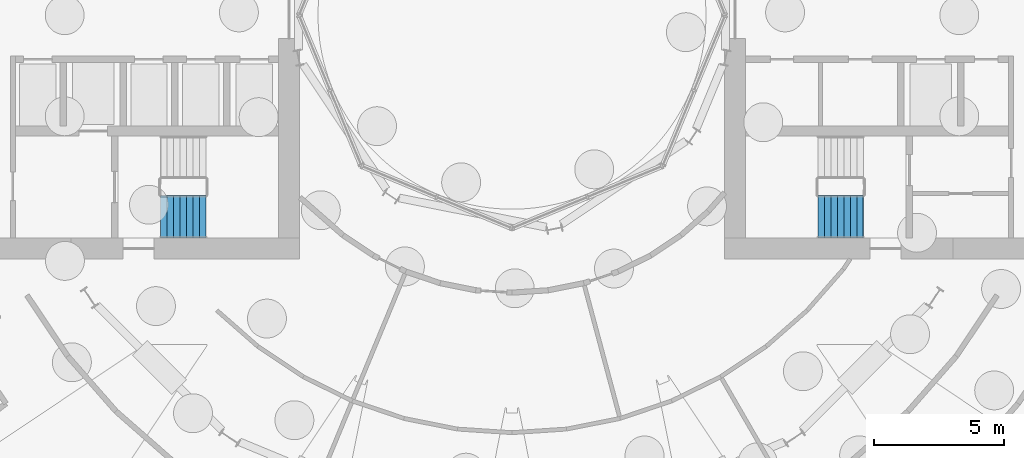
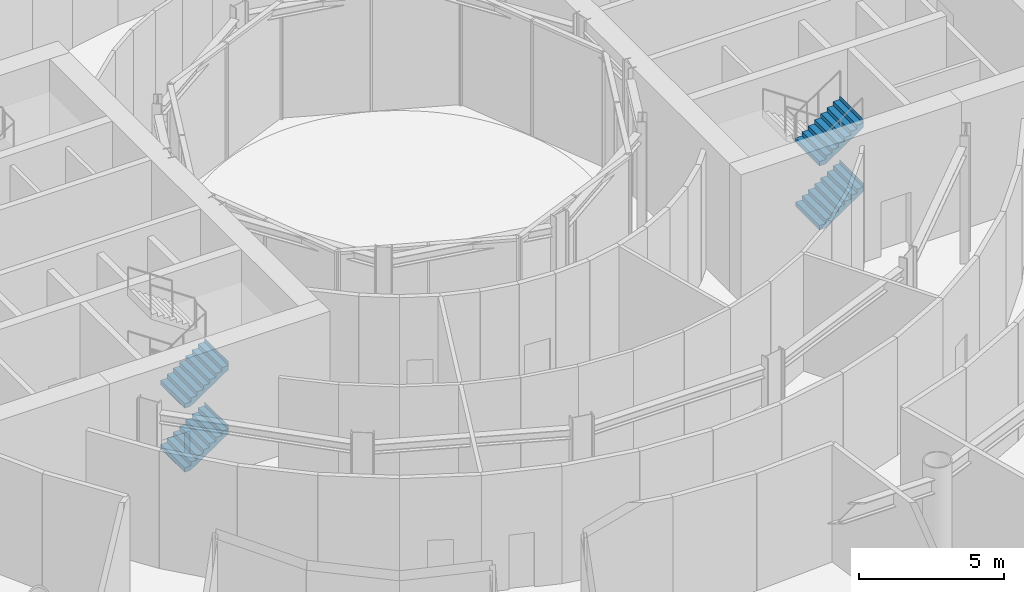
# One storey, part 32 of 41: 4 stair flights, 2 elements without a shape of their own.
"""IFC4 building model written with IfcOpenShell, lengths in metres."""

from ifc_helpers import new_model, si_unit, direction, frame, origin, place, context, subcontext, project, spatial, triangles, material, type_object, element, aggregate, save


model = new_model("IFC4")

# Units and contexts
model_context = context("Model", 3, precision=1e-05, world=origin(), true_north=direction((0.0, 1.0)))
body_context = subcontext(model_context, "Body", "Model", "MODEL_VIEW")
ifc_project = project(units=[si_unit("LENGTHUNIT", "METRE"), si_unit("AREAUNIT", "SQUARE_METRE"), si_unit("VOLUMEUNIT", "CUBIC_METRE"), si_unit("PLANEANGLEUNIT", "RADIAN"), si_unit("MASSUNIT", "GRAM", prefix="KILO")], contexts=[model_context])

# Site, building, storey
site_placement = place(None, origin())
site = spatial("IfcSite", under=ifc_project, at=site_placement, CompositionType="ELEMENT")
building_placement = place(site_placement, origin())
building = spatial("IfcBuilding", under=site, at=building_placement, Name="Maasbend Ring Residences", CompositionType="ELEMENT")
storey_placement = place(building_placement, origin())
storey = spatial("IfcBuildingStorey", under=building, at=storey_placement, Name="L00", CompositionType="ELEMENT", Elevation=0.0)

# Stair, stair flights
ifc_material_1 = material(Name="Concrete C40/50", Category="concrete")
stair_type = type_object("IfcStairType", Name="CORE STAIR 32 RISERS", PredefinedType="HALF_TURN_STAIR", material=ifc_material_1)
stair_1_placement = place(storey_placement, origin())
stair_1 = element("IfcStair", 1, at=stair_1_placement, inside=storey, type_object=stair_type, Name="L00 Exit stair ST-E2", PredefinedType="HALF_TURN_STAIR")
ifc_material_2 = material(Name="Concrete C40/50", Category="concrete")
stair_flight_type = type_object("IfcStairFlightType", Name="CORE STAIR FLIGHT 1650", PredefinedType="STRAIGHT", material=ifc_material_2)
stair_flight_1_placement = place(storey_placement, frame((11.800048828125, -7.77490234375, 1.35009765625), z_axis=(0.0, 0.0, 1.0), x_axis=(1.0, 0.0, 0.0)))
stair_flight_1 = element("IfcStairFlight", 2, at=stair_flight_1_placement, type_object=stair_flight_type, Name="ST-E2 flight 2", NumberOfRisers=8, NumberOfTreads=7, PredefinedType="STRAIGHT", RiserHeight=0.16875, TreadLength=0.25, context=body_context, shape_type="Tessellation", body=[
    triangles([(0.2412109375, 0.824951171875, -0.02001953125), (1.7529296875, 0.824951171875, 1.00048828125), (1.7529296875, 0.824951171875, 1.35009765625), (1.739990234375, 0.824951171875, 1.18115234375), (1.5, 0.824951171875, 1.18115234375), (1.5, 0.824951171875, 1.012451171875), (1.25, 0.824951171875, 1.012451171875), (1.25, 0.824951171875, 0.84375), (1.0, 0.824951171875, 0.84375), (1.0, 0.824951171875, 0.675048828125), (0.75, 0.824951171875, 0.675048828125), (0.75, 0.824951171875, 0.50634765625), (0.5, 0.824951171875, 0.50634765625), (0.5, 0.824951171875, 0.33740234375), (0.25, 0.824951171875, 0.33740234375), (0.25, 0.824951171875, 0.168701171875), (0.0, 0.824951171875, 0.168701171875), (0.0, 0.824951171875, 0.0), (-0.0029296875, 0.824951171875, 0.0), (-0.0029296875, 0.824951171875, -0.02001953125), (0.2412109375, 0.41259765625, -0.02001953125), (1.7529296875, 0.41259765625, 1.00048828125), (1.7529296875, 0.41259765625, 1.35009765625), (1.739990234375, 0.41259765625, 1.18115234375), (1.5, 0.41259765625, 1.18115234375), (1.5, 0.41259765625, 1.012451171875), (1.25, 0.41259765625, 1.012451171875), (1.25, 0.41259765625, 0.84375), (1.0, 0.41259765625, 0.84375), (1.0, 0.41259765625, 0.675048828125), (0.75, 0.41259765625, 0.675048828125), (0.75, 0.41259765625, 0.50634765625), (0.5, 0.41259765625, 0.50634765625), (0.5, 0.41259765625, 0.33740234375), (0.25, 0.41259765625, 0.33740234375), (0.25, 0.41259765625, 0.168701171875), (0.0, 0.41259765625, 0.168701171875), (0.0, 0.41259765625, 0.0), (-0.0029296875, 0.41259765625, 0.0), (-0.0029296875, 0.41259765625, -0.02001953125), (0.2412109375, 0.0, -0.02001953125), (1.7529296875, 0.0, 1.00048828125), (1.7529296875, 0.0, 1.35009765625), (1.739990234375, 0.0, 1.18115234375), (1.5, 0.0, 1.18115234375), (1.5, 0.0, 1.012451171875), (1.25, 0.0, 1.012451171875), (1.25, 0.0, 0.84375), (1.0, 0.0, 0.84375), (1.0, 0.0, 0.675048828125), (0.75, 0.0, 0.675048828125), (0.75, 0.0, 0.50634765625), (0.5, 0.0, 0.50634765625), (0.5, 0.0, 0.33740234375), (0.25, 0.0, 0.33740234375), (0.25, 0.0, 0.168701171875), (0.0, 0.0, 0.168701171875), (0.0, 0.0, 0.0), (-0.0029296875, 0.0, 0.0), (-0.0029296875, 0.0, -0.02001953125), (0.2412109375, -0.41259765625, -0.02001953125), (1.7529296875, -0.41259765625, 1.00048828125), (1.7529296875, -0.41259765625, 1.35009765625), (1.739990234375, -0.41259765625, 1.18115234375), (1.5, -0.41259765625, 1.18115234375), (1.5, -0.41259765625, 1.012451171875), (1.25, -0.41259765625, 1.012451171875), (1.25, -0.41259765625, 0.84375), (1.0, -0.41259765625, 0.84375), (1.0, -0.41259765625, 0.675048828125), (0.75, -0.41259765625, 0.675048828125), (0.75, -0.41259765625, 0.50634765625), (0.5, -0.41259765625, 0.50634765625), (0.5, -0.41259765625, 0.33740234375), (0.25, -0.41259765625, 0.33740234375), (0.25, -0.41259765625, 0.168701171875), (0.0, -0.41259765625, 0.168701171875), (0.0, -0.41259765625, 0.0), (-0.0029296875, -0.41259765625, 0.0), (-0.0029296875, -0.41259765625, -0.02001953125), (0.2412109375, -0.824951171875, -0.02001953125), (1.7529296875, -0.824951171875, 1.00048828125), (1.7529296875, -0.824951171875, 1.35009765625), (1.739990234375, -0.824951171875, 1.18115234375), (1.5, -0.824951171875, 1.18115234375), (1.5, -0.824951171875, 1.012451171875), (1.25, -0.824951171875, 1.012451171875), (1.25, -0.824951171875, 0.84375), (1.0, -0.824951171875, 0.84375), (1.0, -0.824951171875, 0.675048828125), (0.75, -0.824951171875, 0.675048828125), (0.75, -0.824951171875, 0.50634765625), (0.5, -0.824951171875, 0.50634765625), (0.5, -0.824951171875, 0.33740234375), (0.25, -0.824951171875, 0.33740234375), (0.25, -0.824951171875, 0.168701171875), (0.0, -0.824951171875, 0.168701171875), (0.0, -0.824951171875, 0.0), (-0.0029296875, -0.824951171875, 0.0), (-0.0029296875, -0.824951171875, -0.02001953125)], [[1, 2, 22], [1, 22, 21], [21, 22, 42], [21, 42, 41], [41, 42, 62], [41, 62, 61], [61, 62, 82], [61, 82, 81], [2, 3, 23], [2, 23, 22], [22, 23, 43], [22, 43, 42], [42, 43, 63], [42, 63, 62], [62, 63, 83], [62, 83, 82], [3, 4, 24], [3, 24, 23], [23, 24, 44], [23, 44, 43], [43, 44, 64], [43, 64, 63], [63, 64, 84], [63, 84, 83], [4, 5, 25], [4, 25, 24], [24, 25, 45], [24, 45, 44], [44, 45, 65], [44, 65, 64], [64, 65, 85], [64, 85, 84], [5, 6, 26], [5, 26, 25], [25, 26, 46], [25, 46, 45], [45, 46, 66], [45, 66, 65], [65, 66, 86], [65, 86, 85], [6, 7, 27], [6, 27, 26], [26, 27, 47], [26, 47, 46], [46, 47, 67], [46, 67, 66], [66, 67, 87], [66, 87, 86], [7, 8, 28], [7, 28, 27], [27, 28, 48], [27, 48, 47], [47, 48, 68], [47, 68, 67], [67, 68, 88], [67, 88, 87], [8, 9, 29], [8, 29, 28], [28, 29, 49], [28, 49, 48], [48, 49, 69], [48, 69, 68], [68, 69, 89], [68, 89, 88], [9, 10, 30], [9, 30, 29], [29, 30, 50], [29, 50, 49], [49, 50, 70], [49, 70, 69], [69, 70, 90], [69, 90, 89], [10, 11, 31], [10, 31, 30], [30, 31, 51], [30, 51, 50], [50, 51, 71], [50, 71, 70], [70, 71, 91], [70, 91, 90], [11, 12, 32], [11, 32, 31], [31, 32, 52], [31, 52, 51], [51, 52, 72], [51, 72, 71], [71, 72, 92], [71, 92, 91], [12, 13, 33], [12, 33, 32], [32, 33, 53], [32, 53, 52], [52, 53, 73], [52, 73, 72], [72, 73, 93], [72, 93, 92], [13, 14, 34], [13, 34, 33], [33, 34, 54], [33, 54, 53], [53, 54, 74], [53, 74, 73], [73, 74, 94], [73, 94, 93], [14, 15, 35], [14, 35, 34], [34, 35, 55], [34, 55, 54], [54, 55, 75], [54, 75, 74], [74, 75, 95], [74, 95, 94], [15, 16, 36], [15, 36, 35], [35, 36, 56], [35, 56, 55], [55, 56, 76], [55, 76, 75], [75, 76, 96], [75, 96, 95], [16, 17, 37], [16, 37, 36], [36, 37, 57], [36, 57, 56], [56, 57, 77], [56, 77, 76], [76, 77, 97], [76, 97, 96], [17, 18, 38], [17, 38, 37], [37, 38, 58], [37, 58, 57], [57, 58, 78], [57, 78, 77], [77, 78, 98], [77, 98, 97], [18, 19, 39], [18, 39, 38], [38, 39, 59], [38, 59, 58], [58, 59, 79], [58, 79, 78], [78, 79, 99], [78, 99, 98], [19, 20, 40], [19, 40, 39], [39, 40, 60], [39, 60, 59], [59, 60, 80], [59, 80, 79], [79, 80, 100], [79, 100, 99], [20, 1, 21], [20, 21, 40], [40, 21, 41], [40, 41, 60], [60, 41, 61], [60, 61, 80], [80, 61, 81], [80, 81, 100], [20, 2, 1], [2, 4, 3], [2, 5, 4], [2, 6, 5], [20, 6, 2], [6, 8, 7], [20, 8, 6], [8, 10, 9], [20, 10, 8], [10, 12, 11], [20, 12, 10], [12, 14, 13], [20, 14, 12], [14, 16, 15], [20, 16, 14], [16, 18, 17], [20, 18, 16], [18, 20, 19], [100, 81, 82], [82, 83, 84], [82, 84, 85], [82, 85, 86], [100, 82, 86], [86, 87, 88], [100, 86, 88], [88, 89, 90], [100, 88, 90], [90, 91, 92], [100, 90, 92], [92, 93, 94], [100, 92, 94], [94, 95, 96], [100, 94, 96], [96, 97, 98], [100, 96, 98], [98, 99, 100]], closed=True),
])
stair_flight_2_placement = place(storey_placement, frame((11.800048828125, -7.77490234375, 4.050048828125), z_axis=(0.0, 0.0, 1.0), x_axis=(1.0, 0.0, 0.0)))
stair_flight_2 = element("IfcStairFlight", 3, at=stair_flight_2_placement, type_object=stair_flight_type, Name="ST-E2 flight 4", NumberOfRisers=8, NumberOfTreads=7, PredefinedType="STRAIGHT", RiserHeight=0.16875, TreadLength=0.25, context=body_context, shape_type="Tessellation", body=[
    triangles([(0.2412109375, 0.824951171875, -0.02001953125), (1.7529296875, 0.824951171875, 1.00048828125), (1.7529296875, 0.824951171875, 1.35009765625), (1.739990234375, 0.824951171875, 1.18115234375), (1.5, 0.824951171875, 1.18115234375), (1.5, 0.824951171875, 1.012451171875), (1.25, 0.824951171875, 1.012451171875), (1.25, 0.824951171875, 0.84375), (1.0, 0.824951171875, 0.84375), (1.0, 0.824951171875, 0.675048828125), (0.75, 0.824951171875, 0.675048828125), (0.75, 0.824951171875, 0.50634765625), (0.5, 0.824951171875, 0.50634765625), (0.5, 0.824951171875, 0.33740234375), (0.25, 0.824951171875, 0.33740234375), (0.25, 0.824951171875, 0.168701171875), (0.0, 0.824951171875, 0.168701171875), (0.0, 0.824951171875, 0.0), (-0.0029296875, 0.824951171875, 0.0), (-0.0029296875, 0.824951171875, -0.02001953125), (0.2412109375, 0.41259765625, -0.02001953125), (1.7529296875, 0.41259765625, 1.00048828125), (1.7529296875, 0.41259765625, 1.35009765625), (1.739990234375, 0.41259765625, 1.18115234375), (1.5, 0.41259765625, 1.18115234375), (1.5, 0.41259765625, 1.012451171875), (1.25, 0.41259765625, 1.012451171875), (1.25, 0.41259765625, 0.84375), (1.0, 0.41259765625, 0.84375), (1.0, 0.41259765625, 0.675048828125), (0.75, 0.41259765625, 0.675048828125), (0.75, 0.41259765625, 0.50634765625), (0.5, 0.41259765625, 0.50634765625), (0.5, 0.41259765625, 0.33740234375), (0.25, 0.41259765625, 0.33740234375), (0.25, 0.41259765625, 0.168701171875), (0.0, 0.41259765625, 0.168701171875), (0.0, 0.41259765625, 0.0), (-0.0029296875, 0.41259765625, 0.0), (-0.0029296875, 0.41259765625, -0.02001953125), (0.2412109375, 0.0, -0.02001953125), (1.7529296875, 0.0, 1.00048828125), (1.7529296875, 0.0, 1.35009765625), (1.739990234375, 0.0, 1.18115234375), (1.5, 0.0, 1.18115234375), (1.5, 0.0, 1.012451171875), (1.25, 0.0, 1.012451171875), (1.25, 0.0, 0.84375), (1.0, 0.0, 0.84375), (1.0, 0.0, 0.675048828125), (0.75, 0.0, 0.675048828125), (0.75, 0.0, 0.50634765625), (0.5, 0.0, 0.50634765625), (0.5, 0.0, 0.33740234375), (0.25, 0.0, 0.33740234375), (0.25, 0.0, 0.168701171875), (0.0, 0.0, 0.168701171875), (0.0, 0.0, 0.0), (-0.0029296875, 0.0, 0.0), (-0.0029296875, 0.0, -0.02001953125), (0.2412109375, -0.41259765625, -0.02001953125), (1.7529296875, -0.41259765625, 1.00048828125), (1.7529296875, -0.41259765625, 1.35009765625), (1.739990234375, -0.41259765625, 1.18115234375), (1.5, -0.41259765625, 1.18115234375), (1.5, -0.41259765625, 1.012451171875), (1.25, -0.41259765625, 1.012451171875), (1.25, -0.41259765625, 0.84375), (1.0, -0.41259765625, 0.84375), (1.0, -0.41259765625, 0.675048828125), (0.75, -0.41259765625, 0.675048828125), (0.75, -0.41259765625, 0.50634765625), (0.5, -0.41259765625, 0.50634765625), (0.5, -0.41259765625, 0.33740234375), (0.25, -0.41259765625, 0.33740234375), (0.25, -0.41259765625, 0.168701171875), (0.0, -0.41259765625, 0.168701171875), (0.0, -0.41259765625, 0.0), (-0.0029296875, -0.41259765625, 0.0), (-0.0029296875, -0.41259765625, -0.02001953125), (0.2412109375, -0.824951171875, -0.02001953125), (1.7529296875, -0.824951171875, 1.00048828125), (1.7529296875, -0.824951171875, 1.35009765625), (1.739990234375, -0.824951171875, 1.18115234375), (1.5, -0.824951171875, 1.18115234375), (1.5, -0.824951171875, 1.012451171875), (1.25, -0.824951171875, 1.012451171875), (1.25, -0.824951171875, 0.84375), (1.0, -0.824951171875, 0.84375), (1.0, -0.824951171875, 0.675048828125), (0.75, -0.824951171875, 0.675048828125), (0.75, -0.824951171875, 0.50634765625), (0.5, -0.824951171875, 0.50634765625), (0.5, -0.824951171875, 0.33740234375), (0.25, -0.824951171875, 0.33740234375), (0.25, -0.824951171875, 0.168701171875), (0.0, -0.824951171875, 0.168701171875), (0.0, -0.824951171875, 0.0), (-0.0029296875, -0.824951171875, 0.0), (-0.0029296875, -0.824951171875, -0.02001953125)], [[1, 2, 22], [1, 22, 21], [21, 22, 42], [21, 42, 41], [41, 42, 62], [41, 62, 61], [61, 62, 82], [61, 82, 81], [2, 3, 23], [2, 23, 22], [22, 23, 43], [22, 43, 42], [42, 43, 63], [42, 63, 62], [62, 63, 83], [62, 83, 82], [3, 4, 24], [3, 24, 23], [23, 24, 44], [23, 44, 43], [43, 44, 64], [43, 64, 63], [63, 64, 84], [63, 84, 83], [4, 5, 25], [4, 25, 24], [24, 25, 45], [24, 45, 44], [44, 45, 65], [44, 65, 64], [64, 65, 85], [64, 85, 84], [5, 6, 26], [5, 26, 25], [25, 26, 46], [25, 46, 45], [45, 46, 66], [45, 66, 65], [65, 66, 86], [65, 86, 85], [6, 7, 27], [6, 27, 26], [26, 27, 47], [26, 47, 46], [46, 47, 67], [46, 67, 66], [66, 67, 87], [66, 87, 86], [7, 8, 28], [7, 28, 27], [27, 28, 48], [27, 48, 47], [47, 48, 68], [47, 68, 67], [67, 68, 88], [67, 88, 87], [8, 9, 29], [8, 29, 28], [28, 29, 49], [28, 49, 48], [48, 49, 69], [48, 69, 68], [68, 69, 89], [68, 89, 88], [9, 10, 30], [9, 30, 29], [29, 30, 50], [29, 50, 49], [49, 50, 70], [49, 70, 69], [69, 70, 90], [69, 90, 89], [10, 11, 31], [10, 31, 30], [30, 31, 51], [30, 51, 50], [50, 51, 71], [50, 71, 70], [70, 71, 91], [70, 91, 90], [11, 12, 32], [11, 32, 31], [31, 32, 52], [31, 52, 51], [51, 52, 72], [51, 72, 71], [71, 72, 92], [71, 92, 91], [12, 13, 33], [12, 33, 32], [32, 33, 53], [32, 53, 52], [52, 53, 73], [52, 73, 72], [72, 73, 93], [72, 93, 92], [13, 14, 34], [13, 34, 33], [33, 34, 54], [33, 54, 53], [53, 54, 74], [53, 74, 73], [73, 74, 94], [73, 94, 93], [14, 15, 35], [14, 35, 34], [34, 35, 55], [34, 55, 54], [54, 55, 75], [54, 75, 74], [74, 75, 95], [74, 95, 94], [15, 16, 36], [15, 36, 35], [35, 36, 56], [35, 56, 55], [55, 56, 76], [55, 76, 75], [75, 76, 96], [75, 96, 95], [16, 17, 37], [16, 37, 36], [36, 37, 57], [36, 57, 56], [56, 57, 77], [56, 77, 76], [76, 77, 97], [76, 97, 96], [17, 18, 38], [17, 38, 37], [37, 38, 58], [37, 58, 57], [57, 58, 78], [57, 78, 77], [77, 78, 98], [77, 98, 97], [18, 19, 39], [18, 39, 38], [38, 39, 59], [38, 59, 58], [58, 59, 79], [58, 79, 78], [78, 79, 99], [78, 99, 98], [19, 20, 40], [19, 40, 39], [39, 40, 60], [39, 60, 59], [59, 60, 80], [59, 80, 79], [79, 80, 100], [79, 100, 99], [20, 1, 21], [20, 21, 40], [40, 21, 41], [40, 41, 60], [60, 41, 61], [60, 61, 80], [80, 61, 81], [80, 81, 100], [20, 2, 1], [2, 4, 3], [2, 5, 4], [2, 6, 5], [20, 6, 2], [6, 8, 7], [20, 8, 6], [8, 10, 9], [20, 10, 8], [10, 12, 11], [20, 12, 10], [12, 14, 13], [20, 14, 12], [14, 16, 15], [20, 16, 14], [16, 18, 17], [20, 18, 16], [18, 20, 19], [100, 81, 82], [82, 83, 84], [82, 84, 85], [82, 85, 86], [100, 82, 86], [86, 87, 88], [100, 86, 88], [88, 89, 90], [100, 88, 90], [90, 91, 92], [100, 90, 92], [92, 93, 94], [100, 92, 94], [94, 95, 96], [100, 94, 96], [96, 97, 98], [100, 96, 98], [98, 99, 100]], closed=True),
])
aggregate(stair_1, [stair_flight_1, stair_flight_2])

stair_2_placement = place(storey_placement, origin())
stair_2 = element("IfcStair", 4, at=stair_2_placement, inside=storey, type_object=stair_type, Name="L00 Exit stair ST-W1", PredefinedType="HALF_TURN_STAIR")
stair_flight_3_placement = place(storey_placement, frame((-13.550048828125, -7.77490234375, 0.0), z_axis=(0.0, 0.0, 1.0), x_axis=(1.0, 0.0, 0.0)))
stair_flight_3 = element("IfcStairFlight", 5, at=stair_flight_3_placement, type_object=stair_flight_type, Name="ST-W1 flight 1", NumberOfRisers=8, NumberOfTreads=7, PredefinedType="STRAIGHT", RiserHeight=0.16875, TreadLength=0.25, context=body_context, shape_type="Tessellation", body=[
    triangles([(0.2412109375, 0.824951171875, -0.02001953125), (1.7529296875, 0.824951171875, 1.00048828125), (1.7529296875, 0.824951171875, 1.35009765625), (1.739990234375, 0.824951171875, 1.18115234375), (1.5, 0.824951171875, 1.18115234375), (1.5, 0.824951171875, 1.012451171875), (1.25, 0.824951171875, 1.012451171875), (1.25, 0.824951171875, 0.84375), (1.0, 0.824951171875, 0.84375), (1.0, 0.824951171875, 0.675048828125), (0.75, 0.824951171875, 0.675048828125), (0.75, 0.824951171875, 0.50634765625), (0.5, 0.824951171875, 0.50634765625), (0.5, 0.824951171875, 0.33740234375), (0.25, 0.824951171875, 0.33740234375), (0.25, 0.824951171875, 0.168701171875), (0.0, 0.824951171875, 0.168701171875), (0.0, 0.824951171875, 0.0), (-0.0029296875, 0.824951171875, 0.0), (-0.0029296875, 0.824951171875, -0.02001953125), (0.2412109375, 0.41259765625, -0.02001953125), (1.7529296875, 0.41259765625, 1.00048828125), (1.7529296875, 0.41259765625, 1.35009765625), (1.739990234375, 0.41259765625, 1.18115234375), (1.5, 0.41259765625, 1.18115234375), (1.5, 0.41259765625, 1.012451171875), (1.25, 0.41259765625, 1.012451171875), (1.25, 0.41259765625, 0.84375), (1.0, 0.41259765625, 0.84375), (1.0, 0.41259765625, 0.675048828125), (0.75, 0.41259765625, 0.675048828125), (0.75, 0.41259765625, 0.50634765625), (0.5, 0.41259765625, 0.50634765625), (0.5, 0.41259765625, 0.33740234375), (0.25, 0.41259765625, 0.33740234375), (0.25, 0.41259765625, 0.168701171875), (0.0, 0.41259765625, 0.168701171875), (0.0, 0.41259765625, 0.0), (-0.0029296875, 0.41259765625, 0.0), (-0.0029296875, 0.41259765625, -0.02001953125), (0.2412109375, 0.0, -0.02001953125), (1.7529296875, 0.0, 1.00048828125), (1.7529296875, 0.0, 1.35009765625), (1.739990234375, 0.0, 1.18115234375), (1.5, 0.0, 1.18115234375), (1.5, 0.0, 1.012451171875), (1.25, 0.0, 1.012451171875), (1.25, 0.0, 0.84375), (1.0, 0.0, 0.84375), (1.0, 0.0, 0.675048828125), (0.75, 0.0, 0.675048828125), (0.75, 0.0, 0.50634765625), (0.5, 0.0, 0.50634765625), (0.5, 0.0, 0.33740234375), (0.25, 0.0, 0.33740234375), (0.25, 0.0, 0.168701171875), (0.0, 0.0, 0.168701171875), (0.0, 0.0, 0.0), (-0.0029296875, 0.0, 0.0), (-0.0029296875, 0.0, -0.02001953125), (0.2412109375, -0.41259765625, -0.02001953125), (1.7529296875, -0.41259765625, 1.00048828125), (1.7529296875, -0.41259765625, 1.35009765625), (1.739990234375, -0.41259765625, 1.18115234375), (1.5, -0.41259765625, 1.18115234375), (1.5, -0.41259765625, 1.012451171875), (1.25, -0.41259765625, 1.012451171875), (1.25, -0.41259765625, 0.84375), (1.0, -0.41259765625, 0.84375), (1.0, -0.41259765625, 0.675048828125), (0.75, -0.41259765625, 0.675048828125), (0.75, -0.41259765625, 0.50634765625), (0.5, -0.41259765625, 0.50634765625), (0.5, -0.41259765625, 0.33740234375), (0.25, -0.41259765625, 0.33740234375), (0.25, -0.41259765625, 0.168701171875), (0.0, -0.41259765625, 0.168701171875), (0.0, -0.41259765625, 0.0), (-0.0029296875, -0.41259765625, 0.0), (-0.0029296875, -0.41259765625, -0.02001953125), (0.2412109375, -0.824951171875, -0.02001953125), (1.7529296875, -0.824951171875, 1.00048828125), (1.7529296875, -0.824951171875, 1.35009765625), (1.739990234375, -0.824951171875, 1.18115234375), (1.5, -0.824951171875, 1.18115234375), (1.5, -0.824951171875, 1.012451171875), (1.25, -0.824951171875, 1.012451171875), (1.25, -0.824951171875, 0.84375), (1.0, -0.824951171875, 0.84375), (1.0, -0.824951171875, 0.675048828125), (0.75, -0.824951171875, 0.675048828125), (0.75, -0.824951171875, 0.50634765625), (0.5, -0.824951171875, 0.50634765625), (0.5, -0.824951171875, 0.33740234375), (0.25, -0.824951171875, 0.33740234375), (0.25, -0.824951171875, 0.168701171875), (0.0, -0.824951171875, 0.168701171875), (0.0, -0.824951171875, 0.0), (-0.0029296875, -0.824951171875, 0.0), (-0.0029296875, -0.824951171875, -0.02001953125)], [[1, 2, 22], [1, 22, 21], [21, 22, 42], [21, 42, 41], [41, 42, 62], [41, 62, 61], [61, 62, 82], [61, 82, 81], [2, 3, 23], [2, 23, 22], [22, 23, 43], [22, 43, 42], [42, 43, 63], [42, 63, 62], [62, 63, 83], [62, 83, 82], [3, 4, 24], [3, 24, 23], [23, 24, 44], [23, 44, 43], [43, 44, 64], [43, 64, 63], [63, 64, 84], [63, 84, 83], [4, 5, 25], [4, 25, 24], [24, 25, 45], [24, 45, 44], [44, 45, 65], [44, 65, 64], [64, 65, 85], [64, 85, 84], [5, 6, 26], [5, 26, 25], [25, 26, 46], [25, 46, 45], [45, 46, 66], [45, 66, 65], [65, 66, 86], [65, 86, 85], [6, 7, 27], [6, 27, 26], [26, 27, 47], [26, 47, 46], [46, 47, 67], [46, 67, 66], [66, 67, 87], [66, 87, 86], [7, 8, 28], [7, 28, 27], [27, 28, 48], [27, 48, 47], [47, 48, 68], [47, 68, 67], [67, 68, 88], [67, 88, 87], [8, 9, 29], [8, 29, 28], [28, 29, 49], [28, 49, 48], [48, 49, 69], [48, 69, 68], [68, 69, 89], [68, 89, 88], [9, 10, 30], [9, 30, 29], [29, 30, 50], [29, 50, 49], [49, 50, 70], [49, 70, 69], [69, 70, 90], [69, 90, 89], [10, 11, 31], [10, 31, 30], [30, 31, 51], [30, 51, 50], [50, 51, 71], [50, 71, 70], [70, 71, 91], [70, 91, 90], [11, 12, 32], [11, 32, 31], [31, 32, 52], [31, 52, 51], [51, 52, 72], [51, 72, 71], [71, 72, 92], [71, 92, 91], [12, 13, 33], [12, 33, 32], [32, 33, 53], [32, 53, 52], [52, 53, 73], [52, 73, 72], [72, 73, 93], [72, 93, 92], [13, 14, 34], [13, 34, 33], [33, 34, 54], [33, 54, 53], [53, 54, 74], [53, 74, 73], [73, 74, 94], [73, 94, 93], [14, 15, 35], [14, 35, 34], [34, 35, 55], [34, 55, 54], [54, 55, 75], [54, 75, 74], [74, 75, 95], [74, 95, 94], [15, 16, 36], [15, 36, 35], [35, 36, 56], [35, 56, 55], [55, 56, 76], [55, 76, 75], [75, 76, 96], [75, 96, 95], [16, 17, 37], [16, 37, 36], [36, 37, 57], [36, 57, 56], [56, 57, 77], [56, 77, 76], [76, 77, 97], [76, 97, 96], [17, 18, 38], [17, 38, 37], [37, 38, 58], [37, 58, 57], [57, 58, 78], [57, 78, 77], [77, 78, 98], [77, 98, 97], [18, 19, 39], [18, 39, 38], [38, 39, 59], [38, 59, 58], [58, 59, 79], [58, 79, 78], [78, 79, 99], [78, 99, 98], [19, 20, 40], [19, 40, 39], [39, 40, 60], [39, 60, 59], [59, 60, 80], [59, 80, 79], [79, 80, 100], [79, 100, 99], [20, 1, 21], [20, 21, 40], [40, 21, 41], [40, 41, 60], [60, 41, 61], [60, 61, 80], [80, 61, 81], [80, 81, 100], [20, 2, 1], [2, 4, 3], [2, 5, 4], [2, 6, 5], [20, 6, 2], [6, 8, 7], [20, 8, 6], [8, 10, 9], [20, 10, 8], [10, 12, 11], [20, 12, 10], [12, 14, 13], [20, 14, 12], [14, 16, 15], [20, 16, 14], [16, 18, 17], [20, 18, 16], [18, 20, 19], [100, 81, 82], [82, 83, 84], [82, 84, 85], [82, 85, 86], [100, 82, 86], [86, 87, 88], [100, 86, 88], [88, 89, 90], [100, 88, 90], [90, 91, 92], [100, 90, 92], [92, 93, 94], [100, 92, 94], [94, 95, 96], [100, 94, 96], [96, 97, 98], [100, 96, 98], [98, 99, 100]], closed=True),
])
stair_flight_4_placement = place(storey_placement, frame((-13.550048828125, -7.77490234375, 2.699951171875), z_axis=(0.0, 0.0, 1.0), x_axis=(1.0, 0.0, 0.0)))
stair_flight_4 = element("IfcStairFlight", 6, at=stair_flight_4_placement, type_object=stair_flight_type, Name="ST-W1 flight 3", NumberOfRisers=8, NumberOfTreads=7, PredefinedType="STRAIGHT", RiserHeight=0.16875, TreadLength=0.25, context=body_context, shape_type="Tessellation", body=[
    triangles([(0.2412109375, 0.824951171875, -0.02001953125), (1.7529296875, 0.824951171875, 1.00048828125), (1.7529296875, 0.824951171875, 1.35009765625), (1.739990234375, 0.824951171875, 1.18115234375), (1.5, 0.824951171875, 1.18115234375), (1.5, 0.824951171875, 1.012451171875), (1.25, 0.824951171875, 1.012451171875), (1.25, 0.824951171875, 0.84375), (1.0, 0.824951171875, 0.84375), (1.0, 0.824951171875, 0.675048828125), (0.75, 0.824951171875, 0.675048828125), (0.75, 0.824951171875, 0.50634765625), (0.5, 0.824951171875, 0.50634765625), (0.5, 0.824951171875, 0.33740234375), (0.25, 0.824951171875, 0.33740234375), (0.25, 0.824951171875, 0.168701171875), (0.0, 0.824951171875, 0.168701171875), (0.0, 0.824951171875, 0.0), (-0.0029296875, 0.824951171875, 0.0), (-0.0029296875, 0.824951171875, -0.02001953125), (0.2412109375, 0.41259765625, -0.02001953125), (1.7529296875, 0.41259765625, 1.00048828125), (1.7529296875, 0.41259765625, 1.35009765625), (1.739990234375, 0.41259765625, 1.18115234375), (1.5, 0.41259765625, 1.18115234375), (1.5, 0.41259765625, 1.012451171875), (1.25, 0.41259765625, 1.012451171875), (1.25, 0.41259765625, 0.84375), (1.0, 0.41259765625, 0.84375), (1.0, 0.41259765625, 0.675048828125), (0.75, 0.41259765625, 0.675048828125), (0.75, 0.41259765625, 0.50634765625), (0.5, 0.41259765625, 0.50634765625), (0.5, 0.41259765625, 0.33740234375), (0.25, 0.41259765625, 0.33740234375), (0.25, 0.41259765625, 0.168701171875), (0.0, 0.41259765625, 0.168701171875), (0.0, 0.41259765625, 0.0), (-0.0029296875, 0.41259765625, 0.0), (-0.0029296875, 0.41259765625, -0.02001953125), (0.2412109375, 0.0, -0.02001953125), (1.7529296875, 0.0, 1.00048828125), (1.7529296875, 0.0, 1.35009765625), (1.739990234375, 0.0, 1.18115234375), (1.5, 0.0, 1.18115234375), (1.5, 0.0, 1.012451171875), (1.25, 0.0, 1.012451171875), (1.25, 0.0, 0.84375), (1.0, 0.0, 0.84375), (1.0, 0.0, 0.675048828125), (0.75, 0.0, 0.675048828125), (0.75, 0.0, 0.50634765625), (0.5, 0.0, 0.50634765625), (0.5, 0.0, 0.33740234375), (0.25, 0.0, 0.33740234375), (0.25, 0.0, 0.168701171875), (0.0, 0.0, 0.168701171875), (0.0, 0.0, 0.0), (-0.0029296875, 0.0, 0.0), (-0.0029296875, 0.0, -0.02001953125), (0.2412109375, -0.41259765625, -0.02001953125), (1.7529296875, -0.41259765625, 1.00048828125), (1.7529296875, -0.41259765625, 1.35009765625), (1.739990234375, -0.41259765625, 1.18115234375), (1.5, -0.41259765625, 1.18115234375), (1.5, -0.41259765625, 1.012451171875), (1.25, -0.41259765625, 1.012451171875), (1.25, -0.41259765625, 0.84375), (1.0, -0.41259765625, 0.84375), (1.0, -0.41259765625, 0.675048828125), (0.75, -0.41259765625, 0.675048828125), (0.75, -0.41259765625, 0.50634765625), (0.5, -0.41259765625, 0.50634765625), (0.5, -0.41259765625, 0.33740234375), (0.25, -0.41259765625, 0.33740234375), (0.25, -0.41259765625, 0.168701171875), (0.0, -0.41259765625, 0.168701171875), (0.0, -0.41259765625, 0.0), (-0.0029296875, -0.41259765625, 0.0), (-0.0029296875, -0.41259765625, -0.02001953125), (0.2412109375, -0.824951171875, -0.02001953125), (1.7529296875, -0.824951171875, 1.00048828125), (1.7529296875, -0.824951171875, 1.35009765625), (1.739990234375, -0.824951171875, 1.18115234375), (1.5, -0.824951171875, 1.18115234375), (1.5, -0.824951171875, 1.012451171875), (1.25, -0.824951171875, 1.012451171875), (1.25, -0.824951171875, 0.84375), (1.0, -0.824951171875, 0.84375), (1.0, -0.824951171875, 0.675048828125), (0.75, -0.824951171875, 0.675048828125), (0.75, -0.824951171875, 0.50634765625), (0.5, -0.824951171875, 0.50634765625), (0.5, -0.824951171875, 0.33740234375), (0.25, -0.824951171875, 0.33740234375), (0.25, -0.824951171875, 0.168701171875), (0.0, -0.824951171875, 0.168701171875), (0.0, -0.824951171875, 0.0), (-0.0029296875, -0.824951171875, 0.0), (-0.0029296875, -0.824951171875, -0.02001953125)], [[1, 2, 22], [1, 22, 21], [21, 22, 42], [21, 42, 41], [41, 42, 62], [41, 62, 61], [61, 62, 82], [61, 82, 81], [2, 3, 23], [2, 23, 22], [22, 23, 43], [22, 43, 42], [42, 43, 63], [42, 63, 62], [62, 63, 83], [62, 83, 82], [3, 4, 24], [3, 24, 23], [23, 24, 44], [23, 44, 43], [43, 44, 64], [43, 64, 63], [63, 64, 84], [63, 84, 83], [4, 5, 25], [4, 25, 24], [24, 25, 45], [24, 45, 44], [44, 45, 65], [44, 65, 64], [64, 65, 85], [64, 85, 84], [5, 6, 26], [5, 26, 25], [25, 26, 46], [25, 46, 45], [45, 46, 66], [45, 66, 65], [65, 66, 86], [65, 86, 85], [6, 7, 27], [6, 27, 26], [26, 27, 47], [26, 47, 46], [46, 47, 67], [46, 67, 66], [66, 67, 87], [66, 87, 86], [7, 8, 28], [7, 28, 27], [27, 28, 48], [27, 48, 47], [47, 48, 68], [47, 68, 67], [67, 68, 88], [67, 88, 87], [8, 9, 29], [8, 29, 28], [28, 29, 49], [28, 49, 48], [48, 49, 69], [48, 69, 68], [68, 69, 89], [68, 89, 88], [9, 10, 30], [9, 30, 29], [29, 30, 50], [29, 50, 49], [49, 50, 70], [49, 70, 69], [69, 70, 90], [69, 90, 89], [10, 11, 31], [10, 31, 30], [30, 31, 51], [30, 51, 50], [50, 51, 71], [50, 71, 70], [70, 71, 91], [70, 91, 90], [11, 12, 32], [11, 32, 31], [31, 32, 52], [31, 52, 51], [51, 52, 72], [51, 72, 71], [71, 72, 92], [71, 92, 91], [12, 13, 33], [12, 33, 32], [32, 33, 53], [32, 53, 52], [52, 53, 73], [52, 73, 72], [72, 73, 93], [72, 93, 92], [13, 14, 34], [13, 34, 33], [33, 34, 54], [33, 54, 53], [53, 54, 74], [53, 74, 73], [73, 74, 94], [73, 94, 93], [14, 15, 35], [14, 35, 34], [34, 35, 55], [34, 55, 54], [54, 55, 75], [54, 75, 74], [74, 75, 95], [74, 95, 94], [15, 16, 36], [15, 36, 35], [35, 36, 56], [35, 56, 55], [55, 56, 76], [55, 76, 75], [75, 76, 96], [75, 96, 95], [16, 17, 37], [16, 37, 36], [36, 37, 57], [36, 57, 56], [56, 57, 77], [56, 77, 76], [76, 77, 97], [76, 97, 96], [17, 18, 38], [17, 38, 37], [37, 38, 58], [37, 58, 57], [57, 58, 78], [57, 78, 77], [77, 78, 98], [77, 98, 97], [18, 19, 39], [18, 39, 38], [38, 39, 59], [38, 59, 58], [58, 59, 79], [58, 79, 78], [78, 79, 99], [78, 99, 98], [19, 20, 40], [19, 40, 39], [39, 40, 60], [39, 60, 59], [59, 60, 80], [59, 80, 79], [79, 80, 100], [79, 100, 99], [20, 1, 21], [20, 21, 40], [40, 21, 41], [40, 41, 60], [60, 41, 61], [60, 61, 80], [80, 61, 81], [80, 81, 100], [20, 2, 1], [2, 4, 3], [2, 5, 4], [2, 6, 5], [20, 6, 2], [6, 8, 7], [20, 8, 6], [8, 10, 9], [20, 10, 8], [10, 12, 11], [20, 12, 10], [12, 14, 13], [20, 14, 12], [14, 16, 15], [20, 16, 14], [16, 18, 17], [20, 18, 16], [18, 20, 19], [100, 81, 82], [82, 83, 84], [82, 84, 85], [82, 85, 86], [100, 82, 86], [86, 87, 88], [100, 86, 88], [88, 89, 90], [100, 88, 90], [90, 91, 92], [100, 90, 92], [92, 93, 94], [100, 92, 94], [94, 95, 96], [100, 94, 96], [96, 97, 98], [100, 96, 98], [98, 99, 100]], closed=True),
])
aggregate(stair_2, [stair_flight_3, stair_flight_4])

save(model, "model.ifc")
